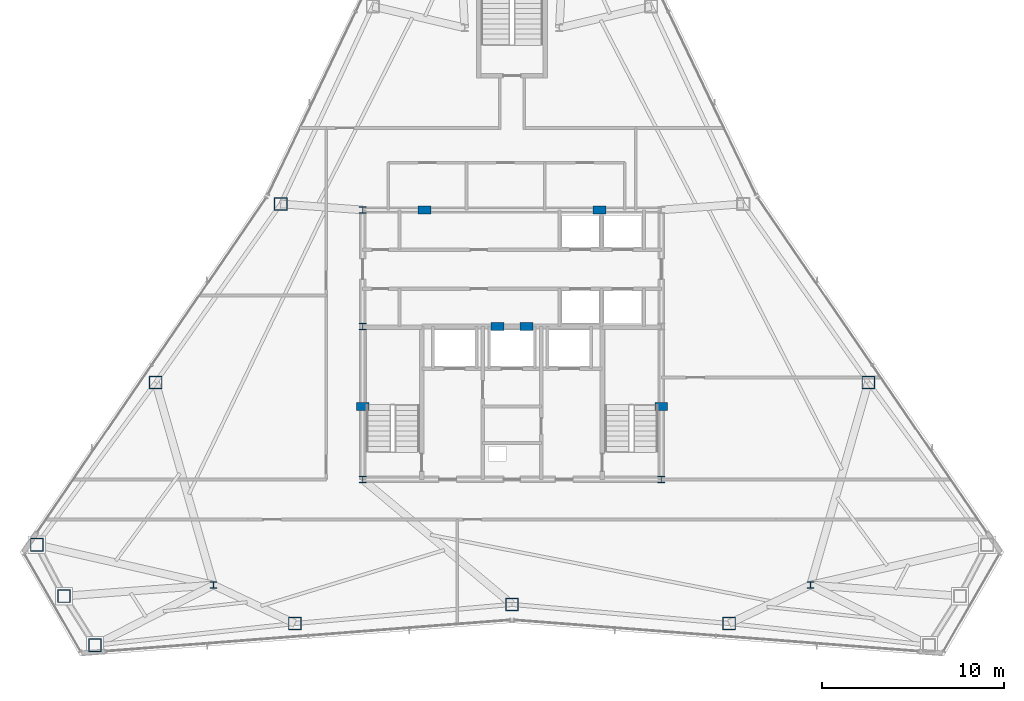
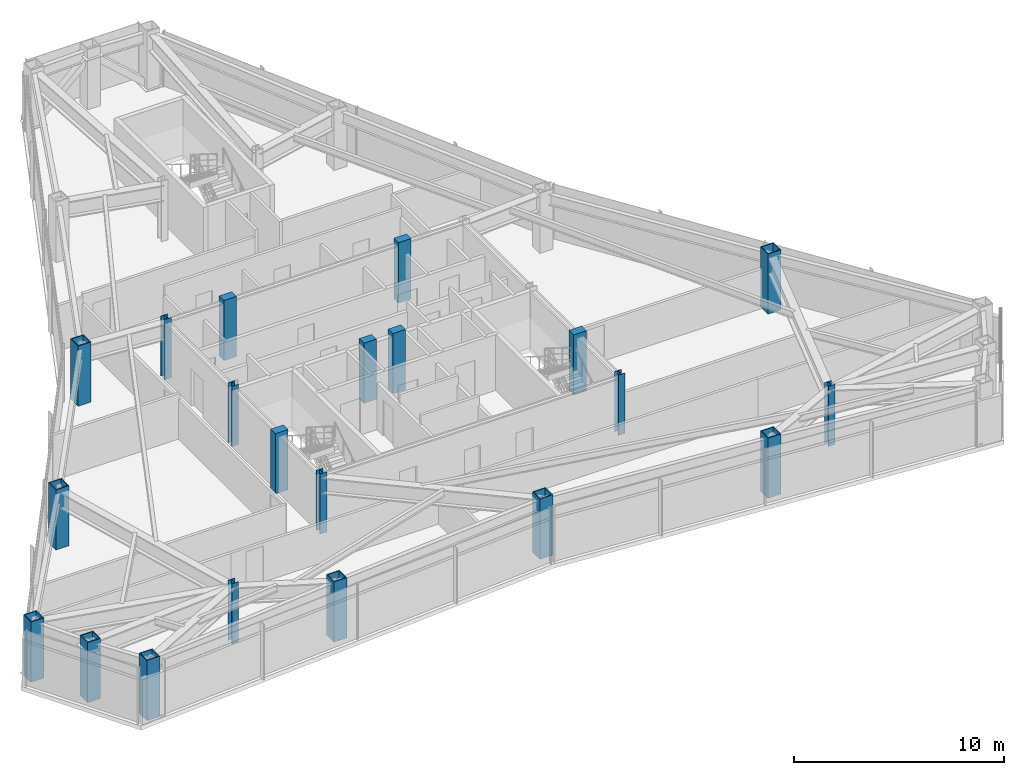
# One storey, part 1 of 12: 21 columns.
"""IFC4 building model written with IfcOpenShell, lengths in metres."""

from ifc_helpers import new_model, si_unit, direction, frame, origin, origin_2d, place, context, subcontext, project, spatial, rectangle, hollow_rectangle, i_section, extrude, material, material_profile, profile_set, type_object, element, save


model = new_model("IFC4")

# Units and contexts
model_context = context("Model", 3, precision=1e-05, world=origin(), true_north=direction((0.0, 1.0)))
body_context = subcontext(model_context, "Body", "Model", "MODEL_VIEW")
ifc_project = project(units=[si_unit("LENGTHUNIT", "METRE"), si_unit("AREAUNIT", "SQUARE_METRE"), si_unit("VOLUMEUNIT", "CUBIC_METRE"), si_unit("PLANEANGLEUNIT", "RADIAN"), si_unit("MASSUNIT", "GRAM", prefix="KILO")], contexts=[model_context])

# Site, building, storey
site_placement = place(None, origin())
site = spatial("IfcSite", under=ifc_project, at=site_placement, CompositionType="ELEMENT")
building_placement = place(site_placement, origin())
building = spatial("IfcBuilding", under=site, at=building_placement, Name="Varakhsha Concourse Tower", CompositionType="ELEMENT")
storey_placement = place(building_placement, frame((0.0, 0.0, 218.89990234375)))
storey = spatial("IfcBuildingStorey", under=building, at=storey_placement, Name="L62", CompositionType="ELEMENT", Elevation=218.89990234375)

# Columns
ifc_material_1 = material(Name="Structural Steel ASTM A992 Grade 50", Category="steel")
ifc_material_profile_1 = material_profile(ifc_material_1, i_section(OverallWidth=0.3740234375, OverallDepth=0.3720703125, WebThickness=0.01611328125, FlangeThickness=0.02587890625, at=origin_2d()), Name="W14X132")
ifc_profile_set_1 = profile_set([ifc_material_profile_1], Name="Structural Steel ASTM A992 Grade 50")
column_type_1 = type_object("IfcColumnType", Name="CL-CORE-W14X132", PredefinedType="COLUMN", material=ifc_profile_set_1)
for number, where, z_axis, x_axis, name in (
    (1, (31.800048828125, 16.39990234375, 0.0), (0.0, 0.0, 1.0), (1.0, 0.0, 0.0), "L62 Core Column CC-SW"),
    (2, (48.199951171875, 16.39990234375, 0.0), (0.0, 0.0, 1.0), (1.0, 0.0, 0.0), "L62 Core Column CC-SE"),
    (3, (31.800048828125, 24.800048828125, 0.0), (0.0, 0.0, 1.0), (1.0, 0.0, 0.0), "L62 Core Column CC-MW"),
    (4, (31.800048828125, 31.199951171875, 0.0), (0.0, 0.0, 1.0), (1.0, 0.0, 0.0), "L62 Core Column CC-NW"),
    (5, (23.60009765625, 10.60009765625, 0.0), (0.0, 0.0, 1.0), (1.0, 0.0, 0.0), "L62 Core Column SS-W"),
    (6, (56.39990234375, 10.60009765625, 0.0), (0.0, 0.0, 1.0), (1.0, 0.0, 0.0), "L62 Core Column SS-E"),
):
    element("IfcColumn", number, at=place(storey_placement, frame(where, z_axis=z_axis, x_axis=x_axis)), inside=storey, type_object=column_type_1, Name=name, PredefinedType="COLUMN", context=body_context, shape_type="SweptSolid", body=[
        extrude(i_section(OverallWidth=0.3740234375, OverallDepth=0.3720703125, WebThickness=0.01611328125, FlangeThickness=0.02587890625, at=origin_2d()), origin(), (0.0, 0.0, 1.0), 3.5),
    ])
ifc_material_2 = material(Name="Concrete fc 65 MPa", Category="concrete")
ifc_material_profile_2 = material_profile(ifc_material_2, rectangle(XDim=0.699951171875, YDim=0.449951171875, at=origin_2d()), Name="RC 700x450")
ifc_profile_set_2 = profile_set([ifc_material_profile_2], Name="Concrete fc 65 MPa")
column_type_2 = type_object("IfcColumnType", Name="CL-PIL-700X450", PredefinedType="PILASTER", material=ifc_profile_set_2)
for number, where, z_axis, x_axis, name in (
    (7, (31.800048828125, 20.39990234375, 0.0), (0.0, 0.0, 1.0), (1.0, 0.0, 0.0), "L62 Core Boundary Pilaster PIL-W1"),
    (8, (48.199951171875, 20.39990234375, 0.0), (0.0, 0.0, 1.0), (1.0, 0.0, 0.0), "L62 Core Boundary Pilaster PIL-E1"),
    (9, (35.199951171875, 31.199951171875, 0.0), (0.0, 0.0, 1.0), (1.0, 0.0, 0.0), "L62 Core Boundary Pilaster PIL-N1"),
    (10, (44.800048828125, 31.199951171875, 0.0), (0.0, 0.0, 1.0), (1.0, 0.0, 0.0), "L62 Core Boundary Pilaster PIL-N2"),
    (11, (39.199951171875, 24.800048828125, 0.0), (0.0, 0.0, 1.0), (1.0, 0.0, 0.0), "L62 Core Boundary Pilaster PIL-M1"),
    (12, (40.800048828125, 24.800048828125, 0.0), (0.0, 0.0, 1.0), (1.0, 0.0, 0.0), "L62 Core Boundary Pilaster PIL-M2"),
):
    element("IfcColumn", number, at=place(storey_placement, frame(where, z_axis=z_axis, x_axis=x_axis)), inside=storey, type_object=column_type_2, Name=name, PredefinedType="PILASTER", context=body_context, shape_type="SweptSolid", body=[
        extrude(rectangle(XDim=0.699951171875, YDim=0.449951171875, at=origin_2d()), origin(), (0.0, 0.0, 1.0), 3.5),
    ])
ifc_material_3 = material(Name="Structural Steel ASTM A572 Grade 50", Category="steel")
ifc_material_profile_3 = material_profile(ifc_material_3, hollow_rectangle(XDim=0.719970703125, YDim=0.719970703125, WallThickness=0.050048828125, at=origin_2d()), Name="BOX 720x720x50")
ifc_profile_set_3 = profile_set([ifc_material_profile_3], Name="Structural Steel ASTM A572 Grade 50")
column_type_3 = type_object("IfcColumnType", Name="CL-TUBE-720", PredefinedType="COLUMN", material=ifc_profile_set_3)
for number, where, z_axis, x_axis, name in (
    (13, (27.301025390625, 31.53173828125, 0.0), (0.0, 0.0, 1.0), (1.0, 0.0, 0.0), "L62 Framed-Tube Column TC05"),
    (14, (20.427001953125, 21.72607421875, 0.0), (0.0, 0.0, 1.0), (1.0, 0.0, 0.0), "L62 Framed-Tube Column TC06"),
    (15, (13.905029296875, 12.813720703125, 0.0), (0.0, 0.0, 1.0), (1.0, 0.0, 0.0), "L62 Framed-Tube Column TC07"),
    (16, (15.3896484375, 9.9912109375, 0.0), (0.0, 0.0, 1.0), (1.0, 0.0, 0.0), "L62 Framed-Tube Column TC08"),
    (17, (17.091796875, 7.294189453125, 0.0), (0.0, 0.0, 1.0), (1.0, 0.0, 0.0), "L62 Framed-Tube Column TC09"),
    (18, (28.071044921875, 8.486328125, 0.0), (0.0, 0.0, 1.0), (1.0, 0.0, 0.0), "L62 Framed-Tube Column TC10"),
    (19, (40.0, 9.53662109375, 0.0), (0.0, 0.0, 1.0), (1.0, 0.0, 0.0), "L62 Framed-Tube Column TC11"),
    (20, (51.928955078125, 8.486328125, 0.0), (0.0, 0.0, 1.0), (1.0, 0.0, 0.0), "L62 Framed-Tube Column TC12"),
    (21, (59.572998046875, 21.72607421875, 0.0), (0.0, 0.0, 1.0), (1.0, 0.0, 0.0), "L62 Framed-Tube Column TC16"),
):
    element("IfcColumn", number, at=place(storey_placement, frame(where, z_axis=z_axis, x_axis=x_axis)), inside=storey, type_object=column_type_3, Name=name, PredefinedType="COLUMN", context=body_context, shape_type="SweptSolid", body=[
        extrude(hollow_rectangle(XDim=0.719970703125, YDim=0.719970703125, WallThickness=0.050048828125, at=origin_2d()), origin(), (0.0, 0.0, 1.0), 3.5),
    ])

save(model, "model.ifc")
